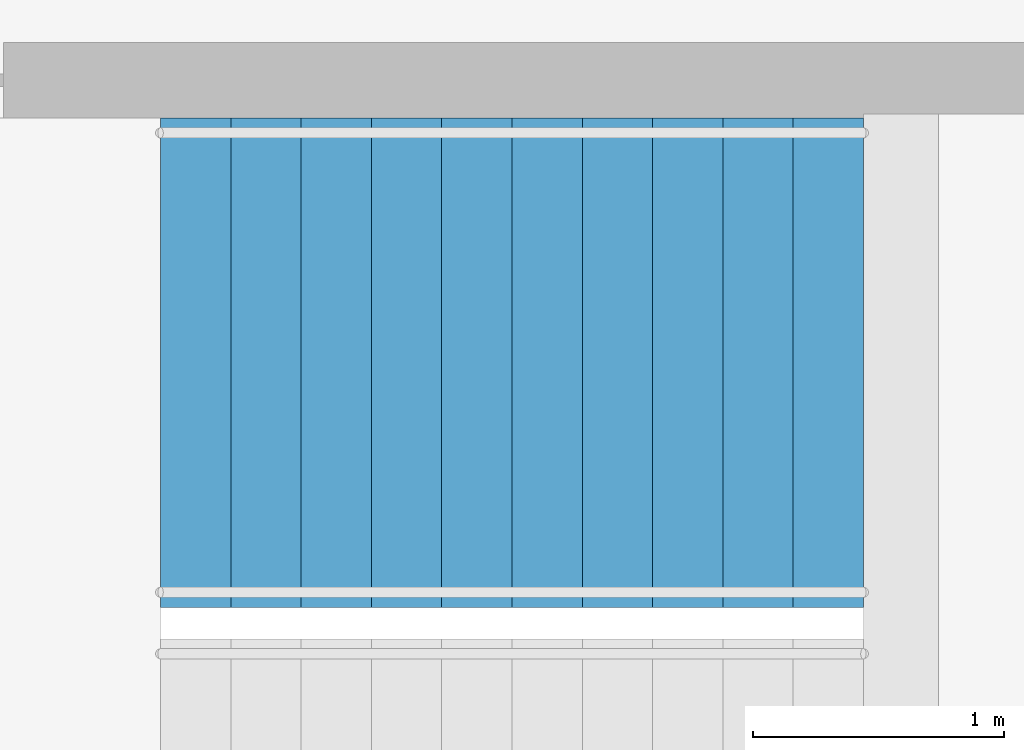
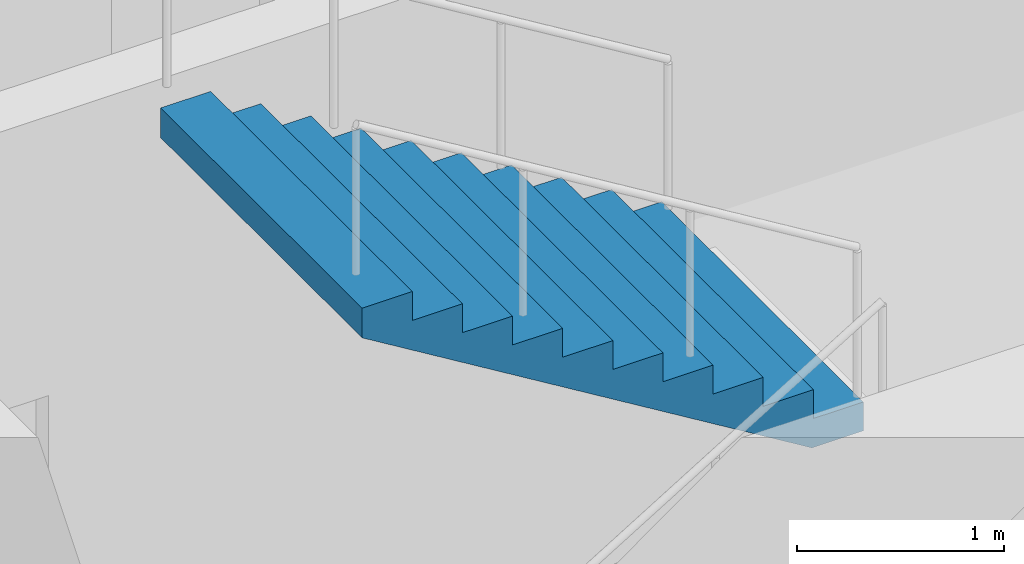
# One storey, part 19 of 22: 1 stair flight, 1 element without a shape of its own.
"""IFC4 building model written with IfcOpenShell, lengths in metres."""

from ifc_helpers import new_model, si_unit, direction, frame, origin, place, context, subcontext, project, spatial, triangles, material, type_object, element, aggregate, save


model = new_model("IFC4")

# Units and contexts
model_context = context("Model", 3, precision=1e-05, world=origin(), true_north=direction((0.0, 1.0)))
body_context = subcontext(model_context, "Body", "Model", "MODEL_VIEW")
ifc_project = project(units=[si_unit("LENGTHUNIT", "METRE"), si_unit("AREAUNIT", "SQUARE_METRE"), si_unit("VOLUMEUNIT", "CUBIC_METRE"), si_unit("PLANEANGLEUNIT", "RADIAN"), si_unit("MASSUNIT", "GRAM", prefix="KILO")], contexts=[model_context])

# Site, building, storey
site_placement = place(None, origin())
site = spatial("IfcSite", under=ifc_project, at=site_placement, CompositionType="ELEMENT")
building_placement = place(site_placement, origin())
building = spatial("IfcBuilding", under=site, at=building_placement, Name="Orbita Commons", CompositionType="ELEMENT")
storey_placement = place(building_placement, frame((0.0, 0.0, 144.85009765625)))
storey = spatial("IfcBuildingStorey", under=building, at=storey_placement, Name="L35", CompositionType="ELEMENT", Elevation=144.85009765625)

# Stair, stair flight
ifc_material_1 = material(Name="Precast concrete C40/50", Category="concrete")
stair_type = type_object("IfcStairType", Name="Exit stair S1 2 flights 11 risers 170", PredefinedType="HALF_TURN_STAIR", material=ifc_material_1)
stair_placement = place(storey_placement, origin())
stair = element("IfcStair", 1, at=stair_placement, inside=storey, type_object=stair_type, Name="Exit stair S1 L35", PredefinedType="HALF_TURN_STAIR")
ifc_material_2 = material(Name="Precast concrete C40/50", Category="concrete")
stair_flight_type = type_object("IfcStairFlightType", Name="Stair flight 11 risers 170 x 280", PredefinedType="STRAIGHT", material=ifc_material_2)
stair_flight_placement = place(storey_placement, frame((23.25, 29.27490234375, 1.875), z_axis=(0.0, 0.0, 1.0), x_axis=(-1.0, 0.0, 0.0)))
stair_flight = element("IfcStairFlight", 2, at=stair_flight_placement, type_object=stair_flight_type, Name="S1 flight 2", NumberOfRisers=11, NumberOfTreads=10, PredefinedType="STRAIGHT", RiserHeight=0.170454545, TreadLength=0.28, context=body_context, shape_type="Tessellation", body=[
    triangles([(0.0, 0.974976, 0.0), (0.0, 0.974976, 0.021307), (0.0, 0.81248, 0.021307), (0.0, 0.81248, 0.0), (0.0, 0.649984, 0.021307), (0.0, 0.649984, 0.0), (0.0, 0.487488, 0.021307), (0.0, 0.487488, 0.0), (0.0, 0.324992, 0.021307), (0.0, 0.324992, 0.0), (0.0, 0.162496, 0.021307), (0.0, 0.162496, 0.0), (0.0, 0.0, 0.021307), (0.0, 0.0, 0.0), (0.0, -0.162496, 0.021307), (0.0, -0.162496, 0.0), (0.0, -0.324992, 0.021307), (0.0, -0.324992, 0.0), (0.0, -0.487488, 0.021307), (0.0, -0.487488, 0.0), (0.0, -0.649984, 0.021307), (0.0, -0.649984, 0.0), (0.0, -0.81248, 0.021307), (0.0, -0.81248, 0.0), (0.0, -0.974976, 0.021307), (0.0, -0.974976, 0.0), (0.0, 0.974976, 0.042614), (0.0, 0.81248, 0.042614), (0.0, 0.649984, 0.042614), (0.0, 0.487488, 0.042614), (0.0, 0.324992, 0.042614), (0.0, 0.162496, 0.042614), (0.0, 0.0, 0.042614), (0.0, -0.162496, 0.042614), (0.0, -0.324992, 0.042614), (0.0, -0.487488, 0.042614), (0.0, -0.649984, 0.042614), (0.0, -0.81248, 0.042614), (0.0, -0.974976, 0.042614), (0.0, 0.974976, 0.06392), (0.0, 0.81248, 0.06392), (0.0, 0.649984, 0.06392), (0.0, 0.487488, 0.06392), (0.0, 0.324992, 0.06392), (0.0, 0.162496, 0.06392), (0.0, 0.0, 0.06392), (0.0, -0.162496, 0.06392), (0.0, -0.324992, 0.06392), (0.0, -0.487488, 0.06392), (0.0, -0.649984, 0.06392), (0.0, -0.81248, 0.06392), (0.0, -0.974976, 0.06392), (0.0, 0.974976, 0.085227), (0.0, 0.81248, 0.085227), (0.0, 0.649984, 0.085227), (0.0, 0.487488, 0.085227), (0.0, 0.324992, 0.085227), (0.0, 0.162496, 0.085227), (0.0, 0.0, 0.085227), (0.0, -0.162496, 0.085227), (0.0, -0.324992, 0.085227), (0.0, -0.487488, 0.085227), (0.0, -0.649984, 0.085227), (0.0, -0.81248, 0.085227), (0.0, -0.974976, 0.085227), (0.0, 0.974976, 0.106534), (0.0, 0.81248, 0.106534), (0.0, 0.649984, 0.106534), (0.0, 0.487488, 0.106534), (0.0, 0.324992, 0.106534), (0.0, 0.162496, 0.106534), (0.0, 0.0, 0.106534), (0.0, -0.162496, 0.106534), (0.0, -0.324992, 0.106534), (0.0, -0.487488, 0.106534), (0.0, -0.649984, 0.106534), (0.0, -0.81248, 0.106534), (0.0, -0.974976, 0.106534), (0.0, 0.974976, 0.127841), (0.0, 0.81248, 0.127841), (0.0, 0.649984, 0.127841), (0.0, 0.487488, 0.127841), (0.0, 0.324992, 0.127841), (0.0, 0.162496, 0.127841), (0.0, 0.0, 0.127841), (0.0, -0.162496, 0.127841), (0.0, -0.324992, 0.127841), (0.0, -0.487488, 0.127841), (0.0, -0.649984, 0.127841), (0.0, -0.81248, 0.127841), (0.0, -0.974976, 0.127841), (0.0, 0.974976, 0.149148), (0.0, 0.81248, 0.149148), (0.0, 0.649984, 0.149148), (0.0, 0.487488, 0.149148), (0.0, 0.324992, 0.149148), (0.0, 0.162496, 0.149148), (0.0, 0.0, 0.149148), (0.0, -0.162496, 0.149148), (0.0, -0.324992, 0.149148), (0.0, -0.487488, 0.149148), (0.0, -0.649984, 0.149148), (0.0, -0.81248, 0.149148), (0.0, -0.974976, 0.149148), (0.0, 0.974976, 0.170455), (0.0, 0.81248, 0.170455), (0.0, 0.649984, 0.170455), (0.0, 0.487488, 0.170455), (0.0, 0.324992, 0.170455), (0.0, 0.162496, 0.170455), (0.0, 0.0, 0.170455), (0.0, -0.162496, 0.170455), (0.0, -0.324992, 0.170455), (0.0, -0.487488, 0.170455), (0.0, -0.649984, 0.170455), (0.0, -0.81248, 0.170455), (0.0, -0.974976, 0.170455), (0.28, 0.974976, 0.170455), (0.28, 0.81248, 0.170455), (0.28, 0.649984, 0.170455), (0.28, 0.487488, 0.170455), (0.28, 0.324992, 0.170455), (0.28, 0.162496, 0.170455), (0.28, 0.0, 0.170455), (0.28, -0.162496, 0.170455), (0.28, -0.324992, 0.170455), (0.28, -0.487488, 0.170455), (0.28, -0.649984, 0.170455), (0.28, -0.81248, 0.170455), (0.28, -0.974976, 0.170455), (0.28, 0.974976, 0.340909), (0.28, 0.81248, 0.340909), (0.28, 0.649984, 0.340909), (0.28, 0.487488, 0.340909), (0.28, 0.324992, 0.340909), (0.28, 0.162496, 0.340909), (0.28, 0.0, 0.340909), (0.28, -0.162496, 0.340909), (0.28, -0.324992, 0.340909), (0.28, -0.487488, 0.340909), (0.28, -0.649984, 0.340909), (0.28, -0.81248, 0.340909), (0.28, -0.974976, 0.340909), (0.56, 0.974976, 0.340909), (0.56, 0.81248, 0.340909), (0.56, 0.649984, 0.340909), (0.56, 0.487488, 0.340909), (0.56, 0.324992, 0.340909), (0.56, 0.162496, 0.340909), (0.56, 0.0, 0.340909), (0.56, -0.162496, 0.340909), (0.56, -0.324992, 0.340909), (0.56, -0.487488, 0.340909), (0.56, -0.649984, 0.340909), (0.56, -0.81248, 0.340909), (0.56, -0.974976, 0.340909), (0.56, 0.974976, 0.511364), (0.56, 0.81248, 0.511364), (0.56, 0.649984, 0.511364), (0.56, 0.487488, 0.511364), (0.56, 0.324992, 0.511364), (0.56, 0.162496, 0.511364), (0.56, 0.0, 0.511364), (0.56, -0.162496, 0.511364), (0.56, -0.324992, 0.511364), (0.56, -0.487488, 0.511364), (0.56, -0.649984, 0.511364), (0.56, -0.81248, 0.511364), (0.56, -0.974976, 0.511364), (0.84, 0.974976, 0.511364), (0.84, 0.81248, 0.511364), (0.84, 0.649984, 0.511364), (0.84, 0.487488, 0.511364), (0.84, 0.324992, 0.511364), (0.84, 0.162496, 0.511364), (0.84, 0.0, 0.511364), (0.84, -0.162496, 0.511364), (0.84, -0.324992, 0.511364), (0.84, -0.487488, 0.511364), (0.84, -0.649984, 0.511364), (0.84, -0.81248, 0.511364), (0.84, -0.974976, 0.511364), (0.84, 0.974976, 0.681818), (0.84, 0.81248, 0.681818), (0.84, 0.649984, 0.681818), (0.84, 0.487488, 0.681818), (0.84, 0.324992, 0.681818), (0.84, 0.162496, 0.681818), (0.84, 0.0, 0.681818), (0.84, -0.162496, 0.681818), (0.84, -0.324992, 0.681818), (0.84, -0.487488, 0.681818), (0.84, -0.649984, 0.681818), (0.84, -0.81248, 0.681818), (0.84, -0.974976, 0.681818), (1.12, 0.974976, 0.681818), (1.12, 0.81248, 0.681818), (1.12, 0.649984, 0.681818), (1.12, 0.487488, 0.681818), (1.12, 0.324992, 0.681818), (1.12, 0.162496, 0.681818), (1.12, 0.0, 0.681818), (1.12, -0.162496, 0.681818), (1.12, -0.324992, 0.681818), (1.12, -0.487488, 0.681818), (1.12, -0.649984, 0.681818), (1.12, -0.81248, 0.681818), (1.12, -0.974976, 0.681818), (1.12, 0.974976, 0.852273), (1.12, 0.81248, 0.852273), (1.12, 0.649984, 0.852273), (1.12, 0.487488, 0.852273), (1.12, 0.324992, 0.852273), (1.12, 0.162496, 0.852273), (1.12, 0.0, 0.852273), (1.12, -0.162496, 0.852273), (1.12, -0.324992, 0.852273), (1.12, -0.487488, 0.852273), (1.12, -0.649984, 0.852273), (1.12, -0.81248, 0.852273), (1.12, -0.974976, 0.852273), (1.4, 0.974976, 0.852273), (1.4, 0.81248, 0.852273), (1.4, 0.649984, 0.852273), (1.4, 0.487488, 0.852273), (1.4, 0.324992, 0.852273), (1.4, 0.162496, 0.852273), (1.4, 0.0, 0.852273), (1.4, -0.162496, 0.852273), (1.4, -0.324992, 0.852273), (1.4, -0.487488, 0.852273), (1.4, -0.649984, 0.852273), (1.4, -0.81248, 0.852273), (1.4, -0.974976, 0.852273), (1.4, 0.974976, 1.022727), (1.4, 0.81248, 1.022727), (1.4, 0.649984, 1.022727), (1.4, 0.487488, 1.022727), (1.4, 0.324992, 1.022727), (1.4, 0.162496, 1.022727), (1.4, 0.0, 1.022727), (1.4, -0.162496, 1.022727), (1.4, -0.324992, 1.022727), (1.4, -0.487488, 1.022727), (1.4, -0.649984, 1.022727), (1.4, -0.81248, 1.022727), (1.4, -0.974976, 1.022727), (1.68, 0.974976, 1.022727), (1.68, 0.81248, 1.022727), (1.68, 0.649984, 1.022727), (1.68, 0.487488, 1.022727), (1.68, 0.324992, 1.022727), (1.68, 0.162496, 1.022727), (1.68, 0.0, 1.022727), (1.68, -0.162496, 1.022727), (1.68, -0.324992, 1.022727), (1.68, -0.487488, 1.022727), (1.68, -0.649984, 1.022727), (1.68, -0.81248, 1.022727), (1.68, -0.974976, 1.022727), (1.68, 0.974976, 1.193182), (1.68, 0.81248, 1.193182), (1.68, 0.649984, 1.193182), (1.68, 0.487488, 1.193182), (1.68, 0.324992, 1.193182), (1.68, 0.162496, 1.193182), (1.68, 0.0, 1.193182), (1.68, -0.162496, 1.193182), (1.68, -0.324992, 1.193182), (1.68, -0.487488, 1.193182), (1.68, -0.649984, 1.193182), (1.68, -0.81248, 1.193182), (1.68, -0.974976, 1.193182), (1.96, 0.974976, 1.193182), (1.96, 0.81248, 1.193182), (1.96, 0.649984, 1.193182), (1.96, 0.487488, 1.193182), (1.96, 0.324992, 1.193182), (1.96, 0.162496, 1.193182), (1.96, 0.0, 1.193182), (1.96, -0.162496, 1.193182), (1.96, -0.324992, 1.193182), (1.96, -0.487488, 1.193182), (1.96, -0.649984, 1.193182), (1.96, -0.81248, 1.193182), (1.96, -0.974976, 1.193182), (1.96, 0.974976, 1.363636), (1.96, 0.81248, 1.363636), (1.96, 0.649984, 1.363636), (1.96, 0.487488, 1.363636), (1.96, 0.324992, 1.363636), (1.96, 0.162496, 1.363636), (1.96, 0.0, 1.363636), (1.96, -0.162496, 1.363636), (1.96, -0.324992, 1.363636), (1.96, -0.487488, 1.363636), (1.96, -0.649984, 1.363636), (1.96, -0.81248, 1.363636), (1.96, -0.974976, 1.363636), (2.24, 0.974976, 1.363636), (2.24, 0.81248, 1.363636), (2.24, 0.649984, 1.363636), (2.24, 0.487488, 1.363636), (2.24, 0.324992, 1.363636), (2.24, 0.162496, 1.363636), (2.24, 0.0, 1.363636), (2.24, -0.162496, 1.363636), (2.24, -0.324992, 1.363636), (2.24, -0.487488, 1.363636), (2.24, -0.649984, 1.363636), (2.24, -0.81248, 1.363636), (2.24, -0.974976, 1.363636), (2.24, 0.974976, 1.534091), (2.24, 0.81248, 1.534091), (2.24, 0.649984, 1.534091), (2.24, 0.487488, 1.534091), (2.24, 0.324992, 1.534091), (2.24, 0.162496, 1.534091), (2.24, 0.0, 1.534091), (2.24, -0.162496, 1.534091), (2.24, -0.324992, 1.534091), (2.24, -0.487488, 1.534091), (2.24, -0.649984, 1.534091), (2.24, -0.81248, 1.534091), (2.24, -0.974976, 1.534091), (2.52, 0.974976, 1.534091), (2.52, 0.81248, 1.534091), (2.52, 0.649984, 1.534091), (2.52, 0.487488, 1.534091), (2.52, 0.324992, 1.534091), (2.52, 0.162496, 1.534091), (2.52, 0.0, 1.534091), (2.52, -0.162496, 1.534091), (2.52, -0.324992, 1.534091), (2.52, -0.487488, 1.534091), (2.52, -0.649984, 1.534091), (2.52, -0.81248, 1.534091), (2.52, -0.974976, 1.534091), (2.52, 0.974976, 1.704545), (2.52, 0.81248, 1.704545), (2.52, 0.649984, 1.704545), (2.52, 0.487488, 1.704545), (2.52, 0.324992, 1.704545), (2.52, 0.162496, 1.704545), (2.52, 0.0, 1.704545), (2.52, -0.162496, 1.704545), (2.52, -0.324992, 1.704545), (2.52, -0.487488, 1.704545), (2.52, -0.649984, 1.704545), (2.52, -0.81248, 1.704545), (2.52, -0.974976, 1.704545), (2.8, 0.974976, 1.704545), (2.8, 0.81248, 1.704545), (2.8, 0.649984, 1.704545), (2.8, 0.487488, 1.704545), (2.8, 0.324992, 1.704545), (2.8, 0.162496, 1.704545), (2.8, 0.0, 1.704545), (2.8, -0.162496, 1.704545), (2.8, -0.324992, 1.704545), (2.8, -0.487488, 1.704545), (2.8, -0.649984, 1.704545), (2.8, -0.81248, 1.704545), (2.8, -0.974976, 1.704545), (2.8, 0.974976, 1.682609), (2.8, 0.81248, 1.682609), (2.8, 0.649984, 1.682609), (2.8, 0.487488, 1.682609), (2.8, 0.324992, 1.682609), (2.8, 0.162496, 1.682609), (2.8, 0.0, 1.682609), (2.8, -0.162496, 1.682609), (2.8, -0.324992, 1.682609), (2.8, -0.487488, 1.682609), (2.8, -0.649984, 1.682609), (2.8, -0.81248, 1.682609), (2.8, -0.974976, 1.682609), (2.8, 0.974976, 1.660672), (2.8, 0.81248, 1.660672), (2.8, 0.649984, 1.660672), (2.8, 0.487488, 1.660672), (2.8, 0.324992, 1.660672), (2.8, 0.162496, 1.660672), (2.8, 0.0, 1.660672), (2.8, -0.162496, 1.660672), (2.8, -0.324992, 1.660672), (2.8, -0.487488, 1.660672), (2.8, -0.649984, 1.660672), (2.8, -0.81248, 1.660672), (2.8, -0.974976, 1.660672), (2.8, 0.974976, 1.638735), (2.8, 0.81248, 1.638735), (2.8, 0.649984, 1.638735), (2.8, 0.487488, 1.638735), (2.8, 0.324992, 1.638735), (2.8, 0.162496, 1.638735), (2.8, 0.0, 1.638735), (2.8, -0.162496, 1.638735), (2.8, -0.324992, 1.638735), (2.8, -0.487488, 1.638735), (2.8, -0.649984, 1.638735), (2.8, -0.81248, 1.638735), (2.8, -0.974976, 1.638735), (2.8, 0.974976, 1.616798), (2.8, 0.81248, 1.616798), (2.8, 0.649984, 1.616798), (2.8, 0.487488, 1.616798), (2.8, 0.324992, 1.616798), (2.8, 0.162496, 1.616798), (2.8, 0.0, 1.616798), (2.8, -0.162496, 1.616798), (2.8, -0.324992, 1.616798), (2.8, -0.487488, 1.616798), (2.8, -0.649984, 1.616798), (2.8, -0.81248, 1.616798), (2.8, -0.974976, 1.616798), (2.8, 0.974976, 1.594861), (2.8, 0.81248, 1.594861), (2.8, 0.649984, 1.594861), (2.8, 0.487488, 1.594861), (2.8, 0.324992, 1.594861), (2.8, 0.162496, 1.594861), (2.8, 0.0, 1.594861), (2.8, -0.162496, 1.594861), (2.8, -0.324992, 1.594861), (2.8, -0.487488, 1.594861), (2.8, -0.649984, 1.594861), (2.8, -0.81248, 1.594861), (2.8, -0.974976, 1.594861), (2.8, 0.974976, 1.572925), (2.8, 0.81248, 1.572925), (2.8, 0.649984, 1.572925), (2.8, 0.487488, 1.572925), (2.8, 0.324992, 1.572925), (2.8, 0.162496, 1.572925), (2.8, 0.0, 1.572925), (2.8, -0.162496, 1.572925), (2.8, -0.324992, 1.572925), (2.8, -0.487488, 1.572925), (2.8, -0.649984, 1.572925), (2.8, -0.81248, 1.572925), (2.8, -0.974976, 1.572925), (2.8, 0.974976, 1.550988), (2.8, 0.81248, 1.550988), (2.8, 0.649984, 1.550988), (2.8, 0.487488, 1.550988), (2.8, 0.324992, 1.550988), (2.8, 0.162496, 1.550988), (2.8, 0.0, 1.550988), (2.8, -0.162496, 1.550988), (2.8, -0.324992, 1.550988), (2.8, -0.487488, 1.550988), (2.8, -0.649984, 1.550988), (2.8, -0.81248, 1.550988), (2.8, -0.974976, 1.550988), (2.8, 0.974976, 1.529051), (2.8, 0.81248, 1.529051), (2.8, 0.649984, 1.529051), (2.8, 0.487488, 1.529051), (2.8, 0.324992, 1.529051), (2.8, 0.162496, 1.529051), (2.8, 0.0, 1.529051), (2.8, -0.162496, 1.529051), (2.8, -0.324992, 1.529051), (2.8, -0.487488, 1.529051), (2.8, -0.649984, 1.529051), (2.8, -0.81248, 1.529051), (2.8, -0.974976, 1.529051), (0.288279, 0.974976, 0.0), (0.288279, 0.81248, 0.0), (0.288279, 0.649984, 0.0), (0.288279, 0.487488, 0.0), (0.288279, 0.324992, 0.0), (0.288279, 0.162496, 0.0), (0.288279, 0.0, 0.0), (0.288279, -0.162496, 0.0), (0.288279, -0.324992, 0.0), (0.288279, -0.487488, 0.0), (0.288279, -0.649984, 0.0), (0.288279, -0.81248, 0.0), (0.288279, -0.974976, 0.0)], [[3, 2, 1], [4, 3, 1], [5, 3, 4], [6, 5, 4], [7, 5, 6], [8, 7, 6], [9, 7, 8], [10, 9, 8], [11, 9, 10], [12, 11, 10], [13, 11, 12], [14, 13, 12], [15, 13, 14], [16, 15, 14], [17, 15, 16], [18, 17, 16], [19, 17, 18], [20, 19, 18], [21, 19, 20], [22, 21, 20], [23, 21, 22], [24, 23, 22], [25, 23, 24], [26, 25, 24], [28, 27, 2], [3, 28, 2], [29, 28, 3], [5, 29, 3], [30, 29, 5], [7, 30, 5], [31, 30, 7], [9, 31, 7], [32, 31, 9], [11, 32, 9], [33, 32, 11], [13, 33, 11], [34, 33, 13], [15, 34, 13], [35, 34, 15], [17, 35, 15], [36, 35, 17], [19, 36, 17], [37, 36, 19], [21, 37, 19], [38, 37, 21], [23, 38, 21], [39, 38, 23], [25, 39, 23], [41, 40, 27], [28, 41, 27], [42, 41, 28], [29, 42, 28], [43, 42, 29], [30, 43, 29], [44, 43, 30], [31, 44, 30], [45, 44, 31], [32, 45, 31], [46, 45, 32], [33, 46, 32], [47, 46, 33], [34, 47, 33], [48, 47, 34], [35, 48, 34], [49, 48, 35], [36, 49, 35], [50, 49, 36], [37, 50, 36], [51, 50, 37], [38, 51, 37], [52, 51, 38], [39, 52, 38], [54, 53, 40], [41, 54, 40], [55, 54, 41], [42, 55, 41], [56, 55, 42], [43, 56, 42], [57, 56, 43], [44, 57, 43], [58, 57, 44], [45, 58, 44], [59, 58, 45], [46, 59, 45], [60, 59, 46], [47, 60, 46], [61, 60, 47], [48, 61, 47], [62, 61, 48], [49, 62, 48], [63, 62, 49], [50, 63, 49], [64, 63, 50], [51, 64, 50], [65, 64, 51], [52, 65, 51], [67, 66, 53], [54, 67, 53], [68, 67, 54], [55, 68, 54], [69, 68, 55], [56, 69, 55], [70, 69, 56], [57, 70, 56], [71, 70, 57], [58, 71, 57], [72, 71, 58], [59, 72, 58], [73, 72, 59], [60, 73, 59], [74, 73, 60], [61, 74, 60], [75, 74, 61], [62, 75, 61], [76, 75, 62], [63, 76, 62], [77, 76, 63], [64, 77, 63], [78, 77, 64], [65, 78, 64], [80, 79, 66], [67, 80, 66], [81, 80, 67], [68, 81, 67], [82, 81, 68], [69, 82, 68], [83, 82, 69], [70, 83, 69], [84, 83, 70], [71, 84, 70], [85, 84, 71], [72, 85, 71], [86, 85, 72], [73, 86, 72], [87, 86, 73], [74, 87, 73], [88, 87, 74], [75, 88, 74], [89, 88, 75], [76, 89, 75], [90, 89, 76], [77, 90, 76], [91, 90, 77], [78, 91, 77], [93, 92, 79], [80, 93, 79], [94, 93, 80], [81, 94, 80], [95, 94, 81], [82, 95, 81], [96, 95, 82], [83, 96, 82], [97, 96, 83], [84, 97, 83], [98, 97, 84], [85, 98, 84], [99, 98, 85], [86, 99, 85], [100, 99, 86], [87, 100, 86], [101, 100, 87], [88, 101, 87], [102, 101, 88], [89, 102, 88], [103, 102, 89], [90, 103, 89], [104, 103, 90], [91, 104, 90], [106, 105, 92], [93, 106, 92], [107, 106, 93], [94, 107, 93], [108, 107, 94], [95, 108, 94], [109, 108, 95], [96, 109, 95], [110, 109, 96], [97, 110, 96], [111, 110, 97], [98, 111, 97], [112, 111, 98], [99, 112, 98], [113, 112, 99], [100, 113, 99], [114, 113, 100], [101, 114, 100], [115, 114, 101], [102, 115, 101], [116, 115, 102], [103, 116, 102], [117, 116, 103], [104, 117, 103], [119, 118, 105], [106, 119, 105], [120, 119, 106], [107, 120, 106], [121, 120, 107], [108, 121, 107], [122, 121, 108], [109, 122, 108], [123, 122, 109], [110, 123, 109], [124, 123, 110], [111, 124, 110], [125, 124, 111], [112, 125, 111], [126, 125, 112], [113, 126, 112], [127, 126, 113], [114, 127, 113], [128, 127, 114], [115, 128, 114], [129, 128, 115], [116, 129, 115], [130, 129, 116], [117, 130, 116], [132, 131, 118], [119, 132, 118], [133, 132, 119], [120, 133, 119], [134, 133, 120], [121, 134, 120], [135, 134, 121], [122, 135, 121], [136, 135, 122], [123, 136, 122], [137, 136, 123], [124, 137, 123], [138, 137, 124], [125, 138, 124], [139, 138, 125], [126, 139, 125], [140, 139, 126], [127, 140, 126], [141, 140, 127], [128, 141, 127], [142, 141, 128], [129, 142, 128], [143, 142, 129], [130, 143, 129], [145, 144, 131], [132, 145, 131], [146, 145, 132], [133, 146, 132], [147, 146, 133], [134, 147, 133], [148, 147, 134], [135, 148, 134], [149, 148, 135], [136, 149, 135], [150, 149, 136], [137, 150, 136], [151, 150, 137], [138, 151, 137], [152, 151, 138], [139, 152, 138], [153, 152, 139], [140, 153, 139], [154, 153, 140], [141, 154, 140], [155, 154, 141], [142, 155, 141], [156, 155, 142], [143, 156, 142], [158, 157, 144], [145, 158, 144], [159, 158, 145], [146, 159, 145], [160, 159, 146], [147, 160, 146], [161, 160, 147], [148, 161, 147], [162, 161, 148], [149, 162, 148], [163, 162, 149], [150, 163, 149], [164, 163, 150], [151, 164, 150], [165, 164, 151], [152, 165, 151], [166, 165, 152], [153, 166, 152], [167, 166, 153], [154, 167, 153], [168, 167, 154], [155, 168, 154], [169, 168, 155], [156, 169, 155], [171, 170, 157], [158, 171, 157], [172, 171, 158], [159, 172, 158], [173, 172, 159], [160, 173, 159], [174, 173, 160], [161, 174, 160], [175, 174, 161], [162, 175, 161], [176, 175, 162], [163, 176, 162], [177, 176, 163], [164, 177, 163], [178, 177, 164], [165, 178, 164], [179, 178, 165], [166, 179, 165], [180, 179, 166], [167, 180, 166], [181, 180, 167], [168, 181, 167], [182, 181, 168], [169, 182, 168], [184, 183, 170], [171, 184, 170], [185, 184, 171], [172, 185, 171], [186, 185, 172], [173, 186, 172], [187, 186, 173], [174, 187, 173], [188, 187, 174], [175, 188, 174], [189, 188, 175], [176, 189, 175], [190, 189, 176], [177, 190, 176], [191, 190, 177], [178, 191, 177], [192, 191, 178], [179, 192, 178], [193, 192, 179], [180, 193, 179], [194, 193, 180], [181, 194, 180], [195, 194, 181], [182, 195, 181], [197, 196, 183], [184, 197, 183], [198, 197, 184], [185, 198, 184], [199, 198, 185], [186, 199, 185], [200, 199, 186], [187, 200, 186], [201, 200, 187], [188, 201, 187], [202, 201, 188], [189, 202, 188], [203, 202, 189], [190, 203, 189], [204, 203, 190], [191, 204, 190], [205, 204, 191], [192, 205, 191], [206, 205, 192], [193, 206, 192], [207, 206, 193], [194, 207, 193], [208, 207, 194], [195, 208, 194], [210, 209, 196], [197, 210, 196], [211, 210, 197], [198, 211, 197], [212, 211, 198], [199, 212, 198], [213, 212, 199], [200, 213, 199], [214, 213, 200], [201, 214, 200], [215, 214, 201], [202, 215, 201], [216, 215, 202], [203, 216, 202], [217, 216, 203], [204, 217, 203], [218, 217, 204], [205, 218, 204], [219, 218, 205], [206, 219, 205], [220, 219, 206], [207, 220, 206], [221, 220, 207], [208, 221, 207], [223, 222, 209], [210, 223, 209], [224, 223, 210], [211, 224, 210], [225, 224, 211], [212, 225, 211], [226, 225, 212], [213, 226, 212], [227, 226, 213], [214, 227, 213], [228, 227, 214], [215, 228, 214], [229, 228, 215], [216, 229, 215], [230, 229, 216], [217, 230, 216], [231, 230, 217], [218, 231, 217], [232, 231, 218], [219, 232, 218], [233, 232, 219], [220, 233, 219], [234, 233, 220], [221, 234, 220], [236, 235, 222], [223, 236, 222], [237, 236, 223], [224, 237, 223], [238, 237, 224], [225, 238, 224], [239, 238, 225], [226, 239, 225], [240, 239, 226], [227, 240, 226], [241, 240, 227], [228, 241, 227], [242, 241, 228], [229, 242, 228], [243, 242, 229], [230, 243, 229], [244, 243, 230], [231, 244, 230], [245, 244, 231], [232, 245, 231], [246, 245, 232], [233, 246, 232], [247, 246, 233], [234, 247, 233], [249, 248, 235], [236, 249, 235], [250, 249, 236], [237, 250, 236], [251, 250, 237], [238, 251, 237], [252, 251, 238], [239, 252, 238], [253, 252, 239], [240, 253, 239], [254, 253, 240], [241, 254, 240], [255, 254, 241], [242, 255, 241], [256, 255, 242], [243, 256, 242], [257, 256, 243], [244, 257, 243], [258, 257, 244], [245, 258, 244], [259, 258, 245], [246, 259, 245], [260, 259, 246], [247, 260, 246], [262, 261, 248], [249, 262, 248], [263, 262, 249], [250, 263, 249], [264, 263, 250], [251, 264, 250], [265, 264, 251], [252, 265, 251], [266, 265, 252], [253, 266, 252], [267, 266, 253], [254, 267, 253], [268, 267, 254], [255, 268, 254], [269, 268, 255], [256, 269, 255], [270, 269, 256], [257, 270, 256], [271, 270, 257], [258, 271, 257], [272, 271, 258], [259, 272, 258], [273, 272, 259], [260, 273, 259], [275, 274, 261], [262, 275, 261], [276, 275, 262], [263, 276, 262], [277, 276, 263], [264, 277, 263], [278, 277, 264], [265, 278, 264], [279, 278, 265], [266, 279, 265], [280, 279, 266], [267, 280, 266], [281, 280, 267], [268, 281, 267], [282, 281, 268], [269, 282, 268], [283, 282, 269], [270, 283, 269], [284, 283, 270], [271, 284, 270], [285, 284, 271], [272, 285, 271], [286, 285, 272], [273, 286, 272], [288, 287, 274], [275, 288, 274], [289, 288, 275], [276, 289, 275], [290, 289, 276], [277, 290, 276], [291, 290, 277], [278, 291, 277], [292, 291, 278], [279, 292, 278], [293, 292, 279], [280, 293, 279], [294, 293, 280], [281, 294, 280], [295, 294, 281], [282, 295, 281], [296, 295, 282], [283, 296, 282], [297, 296, 283], [284, 297, 283], [298, 297, 284], [285, 298, 284], [299, 298, 285], [286, 299, 285], [301, 300, 287], [288, 301, 287], [302, 301, 288], [289, 302, 288], [303, 302, 289], [290, 303, 289], [304, 303, 290], [291, 304, 290], [305, 304, 291], [292, 305, 291], [306, 305, 292], [293, 306, 292], [307, 306, 293], [294, 307, 293], [308, 307, 294], [295, 308, 294], [309, 308, 295], [296, 309, 295], [310, 309, 296], [297, 310, 296], [311, 310, 297], [298, 311, 297], [312, 311, 298], [299, 312, 298], [314, 313, 300], [301, 314, 300], [315, 314, 301], [302, 315, 301], [316, 315, 302], [303, 316, 302], [317, 316, 303], [304, 317, 303], [318, 317, 304], [305, 318, 304], [319, 318, 305], [306, 319, 305], [320, 319, 306], [307, 320, 306], [321, 320, 307], [308, 321, 307], [322, 321, 308], [309, 322, 308], [323, 322, 309], [310, 323, 309], [324, 323, 310], [311, 324, 310], [325, 324, 311], [312, 325, 311], [327, 326, 313], [314, 327, 313], [328, 327, 314], [315, 328, 314], [329, 328, 315], [316, 329, 315], [330, 329, 316], [317, 330, 316], [331, 330, 317], [318, 331, 317], [332, 331, 318], [319, 332, 318], [333, 332, 319], [320, 333, 319], [334, 333, 320], [321, 334, 320], [335, 334, 321], [322, 335, 321], [336, 335, 322], [323, 336, 322], [337, 336, 323], [324, 337, 323], [338, 337, 324], [325, 338, 324], [340, 339, 326], [327, 340, 326], [341, 340, 327], [328, 341, 327], [342, 341, 328], [329, 342, 328], [343, 342, 329], [330, 343, 329], [344, 343, 330], [331, 344, 330], [345, 344, 331], [332, 345, 331], [346, 345, 332], [333, 346, 332], [347, 346, 333], [334, 347, 333], [348, 347, 334], [335, 348, 334], [349, 348, 335], [336, 349, 335], [350, 349, 336], [337, 350, 336], [351, 350, 337], [338, 351, 337], [353, 352, 339], [340, 353, 339], [354, 353, 340], [341, 354, 340], [355, 354, 341], [342, 355, 341], [356, 355, 342], [343, 356, 342], [357, 356, 343], [344, 357, 343], [358, 357, 344], [345, 358, 344], [359, 358, 345], [346, 359, 345], [360, 359, 346], [347, 360, 346], [361, 360, 347], [348, 361, 347], [362, 361, 348], [349, 362, 348], [363, 362, 349], [350, 363, 349], [364, 363, 350], [351, 364, 350], [366, 365, 352], [353, 366, 352], [367, 366, 353], [354, 367, 353], [368, 367, 354], [355, 368, 354], [369, 368, 355], [356, 369, 355], [370, 369, 356], [357, 370, 356], [371, 370, 357], [358, 371, 357], [372, 371, 358], [359, 372, 358], [373, 372, 359], [360, 373, 359], [374, 373, 360], [361, 374, 360], [375, 374, 361], [362, 375, 361], [376, 375, 362], [363, 376, 362], [377, 376, 363], [364, 377, 363], [379, 378, 365], [366, 379, 365], [380, 379, 366], [367, 380, 366], [381, 380, 367], [368, 381, 367], [382, 381, 368], [369, 382, 368], [383, 382, 369], [370, 383, 369], [384, 383, 370], [371, 384, 370], [385, 384, 371], [372, 385, 371], [386, 385, 372], [373, 386, 372], [387, 386, 373], [374, 387, 373], [388, 387, 374], [375, 388, 374], [389, 388, 375], [376, 389, 375], [390, 389, 376], [377, 390, 376], [392, 391, 378], [379, 392, 378], [393, 392, 379], [380, 393, 379], [394, 393, 380], [381, 394, 380], [395, 394, 381], [382, 395, 381], [396, 395, 382], [383, 396, 382], [397, 396, 383], [384, 397, 383], [398, 397, 384], [385, 398, 384], [399, 398, 385], [386, 399, 385], [400, 399, 386], [387, 400, 386], [401, 400, 387], [388, 401, 387], [402, 401, 388], [389, 402, 388], [403, 402, 389], [390, 403, 389], [405, 404, 391], [392, 405, 391], [406, 405, 392], [393, 406, 392], [407, 406, 393], [394, 407, 393], [408, 407, 394], [395, 408, 394], [409, 408, 395], [396, 409, 395], [410, 409, 396], [397, 410, 396], [411, 410, 397], [398, 411, 397], [412, 411, 398], [399, 412, 398], [413, 412, 399], [400, 413, 399], [414, 413, 400], [401, 414, 400], [415, 414, 401], [402, 415, 401], [416, 415, 402], [403, 416, 402], [418, 417, 404], [405, 418, 404], [419, 418, 405], [406, 419, 405], [420, 419, 406], [407, 420, 406], [421, 420, 407], [408, 421, 407], [422, 421, 408], [409, 422, 408], [423, 422, 409], [410, 423, 409], [424, 423, 410], [411, 424, 410], [425, 424, 411], [412, 425, 411], [426, 425, 412], [413, 426, 412], [427, 426, 413], [414, 427, 413], [428, 427, 414], [415, 428, 414], [429, 428, 415], [416, 429, 415], [431, 430, 417], [418, 431, 417], [432, 431, 418], [419, 432, 418], [433, 432, 419], [420, 433, 419], [434, 433, 420], [421, 434, 420], [435, 434, 421], [422, 435, 421], [436, 435, 422], [423, 436, 422], [437, 436, 423], [424, 437, 423], [438, 437, 424], [425, 438, 424], [439, 438, 425], [426, 439, 425], [440, 439, 426], [427, 440, 426], [441, 440, 427], [428, 441, 427], [442, 441, 428], [429, 442, 428], [444, 443, 430], [431, 444, 430], [445, 444, 431], [432, 445, 431], [446, 445, 432], [433, 446, 432], [447, 446, 433], [434, 447, 433], [448, 447, 434], [435, 448, 434], [449, 448, 435], [436, 449, 435], [450, 449, 436], [437, 450, 436], [451, 450, 437], [438, 451, 437], [452, 451, 438], [439, 452, 438], [453, 452, 439], [440, 453, 439], [454, 453, 440], [441, 454, 440], [455, 454, 441], [442, 455, 441], [457, 456, 443], [444, 457, 443], [458, 457, 444], [445, 458, 444], [459, 458, 445], [446, 459, 445], [460, 459, 446], [447, 460, 446], [461, 460, 447], [448, 461, 447], [462, 461, 448], [449, 462, 448], [463, 462, 449], [450, 463, 449], [464, 463, 450], [451, 464, 450], [465, 464, 451], [452, 465, 451], [466, 465, 452], [453, 466, 452], [467, 466, 453], [454, 467, 453], [468, 467, 454], [455, 468, 454], [470, 469, 456], [457, 470, 456], [471, 470, 457], [458, 471, 457], [472, 471, 458], [459, 472, 458], [473, 472, 459], [460, 473, 459], [474, 473, 460], [461, 474, 460], [475, 474, 461], [462, 475, 461], [476, 475, 462], [463, 476, 462], [477, 476, 463], [464, 477, 463], [478, 477, 464], [465, 478, 464], [479, 478, 465], [466, 479, 465], [480, 479, 466], [467, 480, 466], [481, 480, 467], [468, 481, 467], [4, 1, 469], [470, 4, 469], [6, 4, 470], [471, 6, 470], [8, 6, 471], [472, 8, 471], [10, 8, 472], [473, 10, 472], [12, 10, 473], [474, 12, 473], [14, 12, 474], [475, 14, 474], [16, 14, 475], [476, 16, 475], [18, 16, 476], [477, 18, 476], [20, 18, 477], [478, 20, 477], [22, 20, 478], [479, 22, 478], [24, 22, 479], [480, 24, 479], [26, 24, 480], [481, 26, 480], [456, 469, 1], [26, 481, 468], [443, 456, 1], [26, 468, 455], [430, 443, 1], [26, 455, 442], [417, 430, 1], [26, 442, 429], [404, 417, 1], [26, 429, 416], [391, 404, 1], [26, 416, 403], [378, 391, 1], [26, 403, 390], [365, 378, 1], [26, 390, 377], [339, 352, 365], [377, 364, 351], [326, 339, 365], [377, 351, 338], [300, 313, 326], [338, 325, 312], [300, 326, 365], [377, 338, 312], [274, 287, 300], [312, 299, 286], [274, 300, 365], [377, 312, 286], [248, 261, 274], [286, 273, 260], [248, 274, 365], [377, 286, 260], [222, 235, 248], [260, 247, 234], [222, 248, 365], [377, 260, 234], [196, 209, 222], [234, 221, 208], [196, 222, 365], [377, 234, 208], [170, 183, 196], [208, 195, 182], [170, 196, 365], [377, 208, 182], [144, 157, 170], [182, 169, 156], [144, 170, 365], [377, 182, 156], [118, 131, 144], [156, 143, 130], [118, 144, 365], [377, 156, 130], [118, 365, 1], [26, 377, 130], [92, 105, 118], [130, 117, 104], [79, 92, 118], [130, 104, 91], [66, 79, 118], [130, 91, 78], [53, 66, 118], [130, 78, 65], [40, 53, 118], [130, 65, 52], [27, 40, 118], [130, 52, 39], [2, 27, 118], [130, 39, 25], [1, 2, 118], [130, 25, 26]], closed=True),
])
aggregate(stair, [stair_flight])

save(model, "model.ifc")
